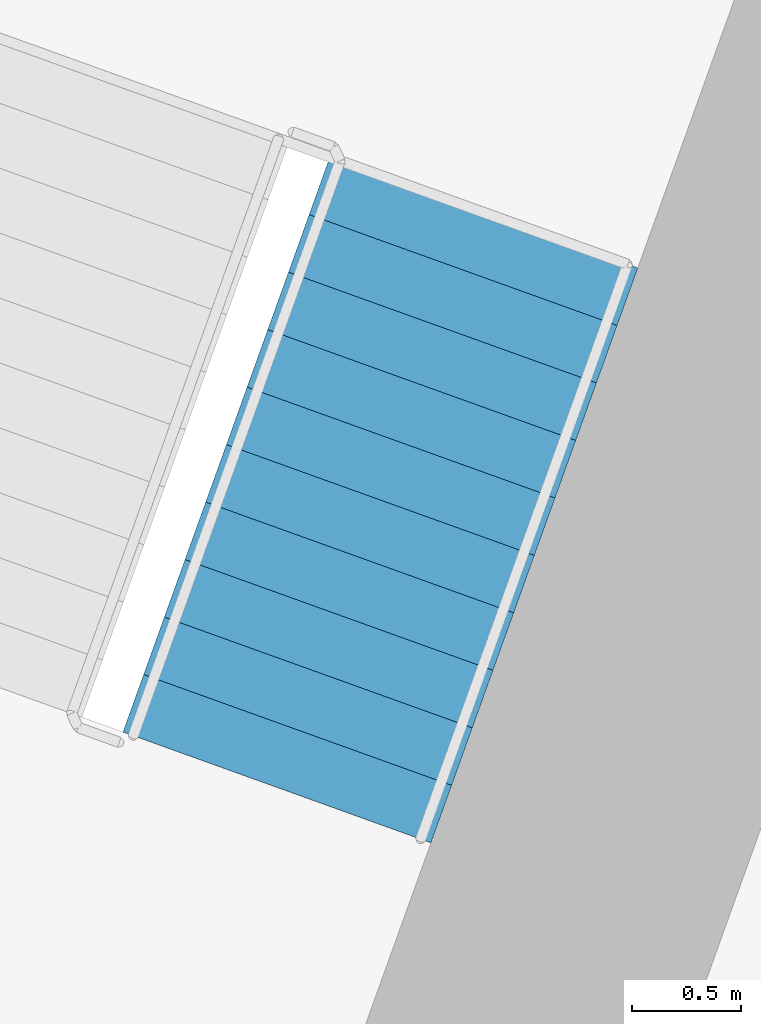
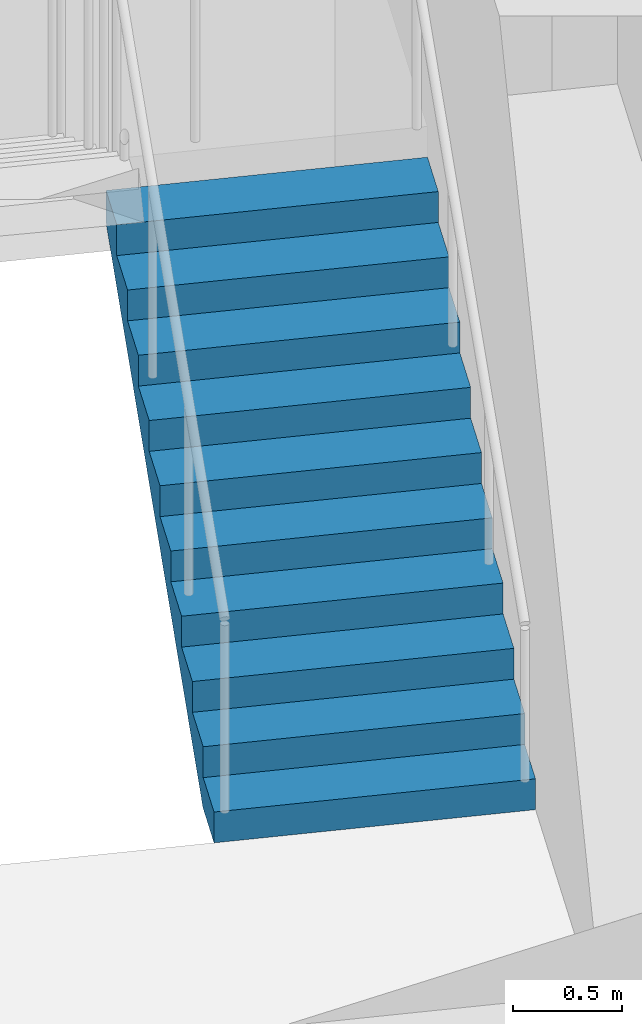
# One storey, part 19 of 21: 1 stair flight, 1 element without a shape of its own.
"""IFC4 building model written with IfcOpenShell, lengths in metres."""

from ifc_helpers import new_model, si_unit, direction, frame, origin, place, context, subcontext, project, spatial, polyline, outline, extrude, material, type_object, element, aggregate, save


model = new_model("IFC4")

# Units and contexts
model_context = context("Model", 3, precision=1e-05, world=origin(), true_north=direction((0.0, 1.0)))
body_context = subcontext(model_context, "Body", "Model", "MODEL_VIEW")
ifc_project = project(units=[si_unit("LENGTHUNIT", "METRE"), si_unit("AREAUNIT", "SQUARE_METRE"), si_unit("VOLUMEUNIT", "CUBIC_METRE"), si_unit("PLANEANGLEUNIT", "RADIAN"), si_unit("MASSUNIT", "GRAM", prefix="KILO")], contexts=[model_context])

# Site, building, storey
site_placement = place(None, origin())
site = spatial("IfcSite", under=ifc_project, at=site_placement, CompositionType="ELEMENT")
building_placement = place(site_placement, origin())
building = spatial("IfcBuilding", under=site, at=building_placement, Name="Stone Belt Terrace Tower", CompositionType="ELEMENT")
storey_placement = place(building_placement, frame((0.0, 0.0, 117.39990234375)))
storey = spatial("IfcBuildingStorey", under=building, at=storey_placement, Name="L28", CompositionType="ELEMENT", Elevation=117.39990234375)

# Stair, stair flight
ifc_material = material(Name="Concrete B40", Category="concrete")
stair_type = type_object("IfcStairType", Name="Exit stair 1500", PredefinedType="HALF_TURN_STAIR", material=ifc_material)
stair_placement = place(storey_placement, origin())
stair = element("IfcStair", 1, at=stair_placement, inside=storey, type_object=stair_type, Name="L28 Exit stair 1 core B", PredefinedType="HALF_TURN_STAIR")
stair_flight_type = type_object("IfcStairFlightType", Name="Stair flight 1500", PredefinedType="STRAIGHT", material=ifc_material)
stair_flight_placement = place(storey_placement, frame((25.15283203125, 44.9375, 0.0), z_axis=(0.0, 0.0, 1.0), x_axis=(0.338624396177, 0.940921632398, 0.0)))
stair_flight = element("IfcStairFlight", 2, at=stair_flight_placement, type_object=stair_flight_type, Name="ST1B flight 1", NumberOfRisers=11, NumberOfTreads=10, PredefinedType="STRAIGHT", RiserHeight=0.172727273, TreadLength=0.28, context=body_context, shape_type="SweptSolid", body=[
    extrude(outline(polyline([(0.0, 0.0), (0.0, 0.172607421875), (0.280029296875, 0.172607421875), (0.280029296875, 0.345458984375), (0.56005859375, 0.345458984375), (0.56005859375, 0.51806640625), (0.840087890625, 0.51806640625), (0.840087890625, 0.69091796875), (1.1201171875, 0.69091796875), (1.1201171875, 0.863525390625), (1.39990234375, 0.863525390625), (1.39990234375, 1.036376953125), (1.679931640625, 1.036376953125), (1.679931640625, 1.208984375), (1.9599609375, 1.208984375), (1.9599609375, 1.3818359375), (2.239990234375, 1.3818359375), (2.239990234375, 1.554443359375), (2.52001953125, 1.554443359375), (2.52001953125, 1.727294921875), (2.800048828125, 1.727294921875), (2.800048828125, 1.89990234375), (2.800048828125, 1.551025390625), (0.285400390625, 0.0), (0.0, 0.0)])), frame((0.0, 0.75, 0.0), z_axis=(0.0, -1.0, 0.0), x_axis=(1.0, 0.0, 0.0)), (0.0, 0.0, 1.0), 1.5),
])
aggregate(stair, [stair_flight])

save(model, "model.ifc")
